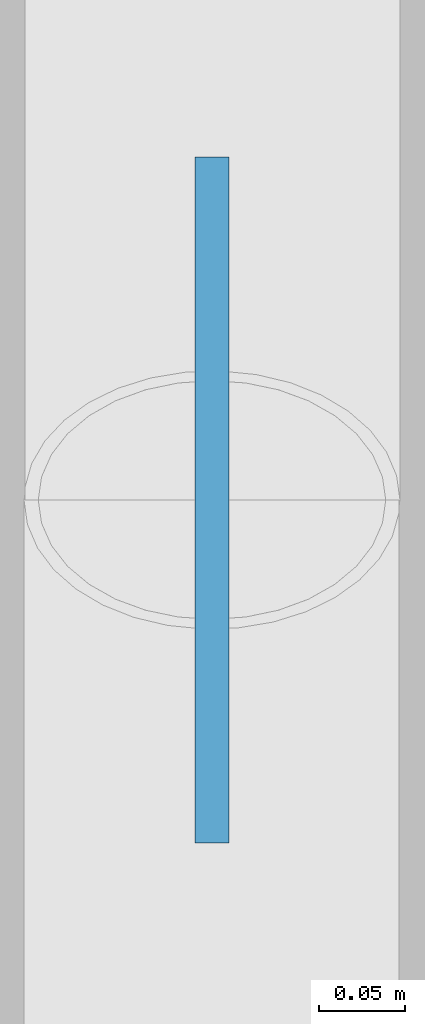
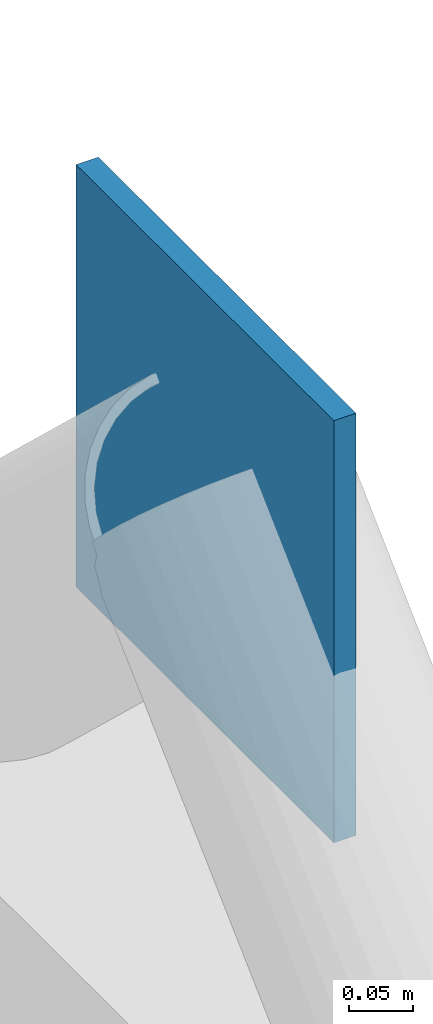
# One storey, part 44 of 89: 1 plate.
"""IFC4 building model written with IfcOpenShell, lengths in metres."""

from ifc_helpers import new_model, si_unit, direction, frame, origin, origin_2d, place, context, subcontext, project, spatial, rectangle, extrude, material, layer, layer_set, type_object, element, save


model = new_model("IFC4")

# Units and contexts
model_context = context("Model", 3, precision=1e-05, world=origin(), true_north=direction((0.0, 1.0)))
body_context = subcontext(model_context, "Body", "Model", "MODEL_VIEW")
ifc_project = project(units=[si_unit("LENGTHUNIT", "METRE"), si_unit("AREAUNIT", "SQUARE_METRE"), si_unit("VOLUMEUNIT", "CUBIC_METRE"), si_unit("PLANEANGLEUNIT", "RADIAN"), si_unit("MASSUNIT", "GRAM", prefix="KILO"), si_unit("THERMODYNAMICTEMPERATUREUNIT", "KELVIN"), si_unit("POWERUNIT", "WATT")], contexts=[model_context])

# Site, building, storey
site_placement = place(None, origin())
site = spatial("IfcSite", under=ifc_project, at=site_placement, CompositionType="ELEMENT")
building_placement = place(site_placement, origin())
building = spatial("IfcBuilding", under=site, at=building_placement, Name="Tallowbark Science Centre", CompositionType="ELEMENT")
storey_placement = place(building_placement, frame((0.0, 0.0, 14.39990234375)))
storey = spatial("IfcBuildingStorey", under=building, at=storey_placement, Name="L03", CompositionType="ELEMENT", Elevation=14.39990234375)

# Plate
ifc_material = material(Name="Structural Steel Grade 300PLUS (300 MPa)", Category="steel")
ifc_layer = layer(ifc_material, 0.02001953125)
ifc_layer_set = layer_set([ifc_layer], Name="Structural Steel Grade 300PLUS (300 MPa)")
plate_type = type_object("IfcPlateType", Name="PLT-GUS-20", PredefinedType="SHEET", material=ifc_layer_set)
plate_placement = place(storey_placement, frame((157.5, 85.5, 4.050048828125), z_axis=(0.0, 0.0, 1.0), x_axis=(0.0, 1.0, 0.0)))
element("IfcPlate", 1, at=plate_placement, inside=storey, type_object=plate_type, Name="Chevron Brace Apex Gusset CBF-OBS-E1B L03", PredefinedType="SHEET", context=body_context, shape_type="SweptSolid", body=[
    extrude(rectangle(XDim=0.39990234375, YDim=0.02001953125, at=origin_2d()), origin(), (0.0, 0.0, 1.0), 0.39990234375),
])

save(model, "model.ifc")
